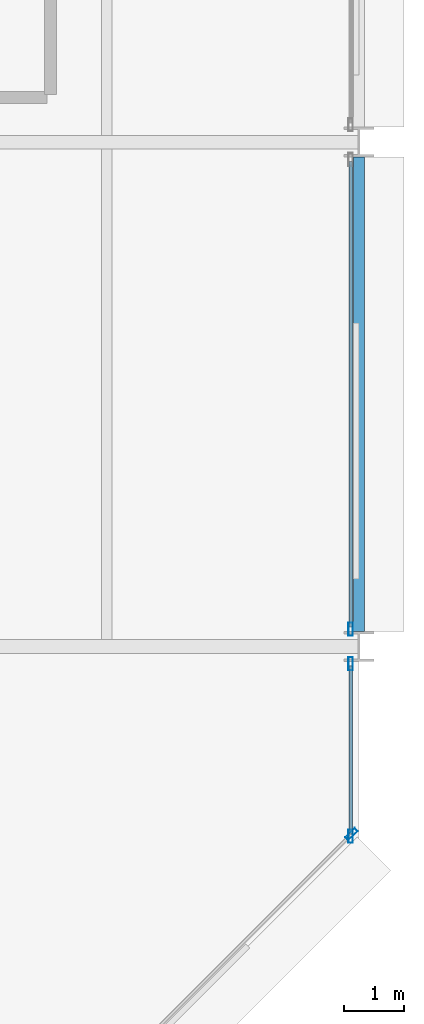
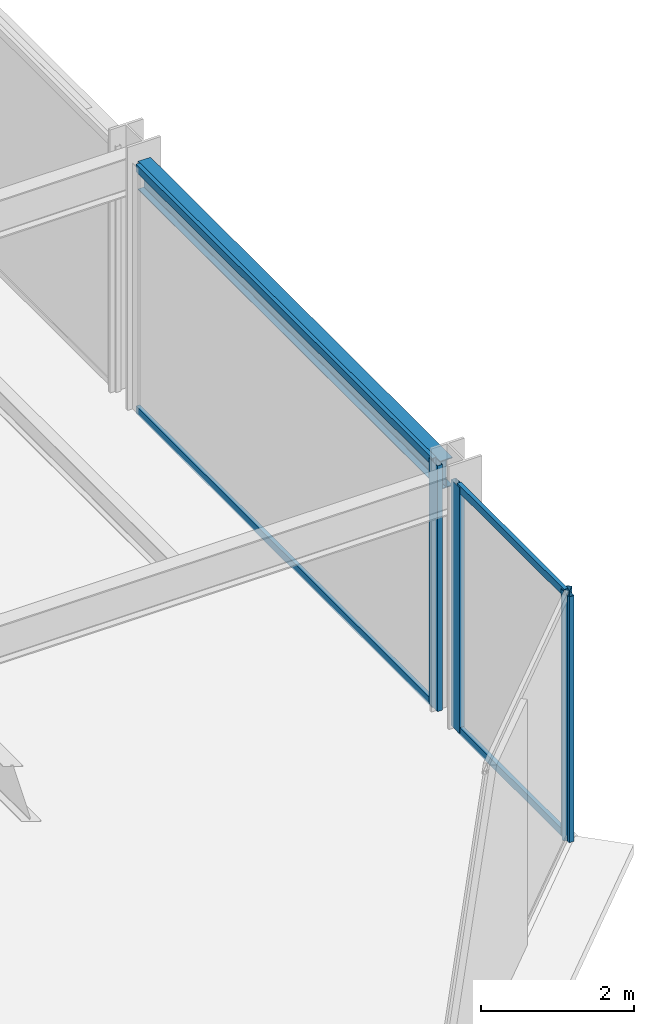
# One storey, part 11 of 25: 8 members, 1 beam, 3 elements without a shape of their own.
"""IFC4 building model written with IfcOpenShell, lengths in metres."""

from ifc_helpers import new_model, si_unit, direction, frame, origin, origin_2d, place, context, subcontext, project, spatial, hollow_rectangle, i_section, extrude, material, layer, layer_set, material_profile, profile_set, type_object, element, aggregate, save


model = new_model("IFC4")

# Units and contexts
model_context = context("Model", 3, precision=1e-05, world=origin(), true_north=direction((0.0, 1.0)))
body_context = subcontext(model_context, "Body", "Model", "MODEL_VIEW")
ifc_project = project(units=[si_unit("LENGTHUNIT", "METRE"), si_unit("AREAUNIT", "SQUARE_METRE"), si_unit("VOLUMEUNIT", "CUBIC_METRE"), si_unit("PLANEANGLEUNIT", "RADIAN"), si_unit("MASSUNIT", "GRAM", prefix="KILO")], contexts=[model_context])

# Site, building, storey
site_placement = place(None, origin())
site = spatial("IfcSite", under=ifc_project, at=site_placement, CompositionType="ELEMENT")
building_placement = place(site_placement, origin())
building = spatial("IfcBuilding", under=site, at=building_placement, Name="Nerrivon Quay Data Exchange", CompositionType="ELEMENT")
storey_placement = place(building_placement, frame((0.0, 0.0, 24.800048828125)))
storey = spatial("IfcBuildingStorey", under=building, at=storey_placement, Name="L05", CompositionType="ELEMENT", Elevation=24.800048828125)

# Beam
ifc_material_1 = material(Name="Steel Grade 350", Category="steel")
ifc_material_profile_1 = material_profile(ifc_material_1, i_section(OverallWidth=0.18994140625, OverallDepth=0.4541015625, WebThickness=0.008544921875, FlangeThickness=0.0126953125, FilletRadius=0.011474609375, at=origin_2d()), Name="460UB67.1")
ifc_profile_set_1 = profile_set([ifc_material_profile_1], Name="Steel Grade 350")
beam_type = type_object("IfcBeamType", Name="BM-SP1-460UB67", PredefinedType="SPANDREL", material=ifc_profile_set_1)
beam_placement = place(storey_placement, frame((50.39990234375, 8.64990234375, 3.697998046875), z_axis=(0.0, 1.0, 0.0), x_axis=(-1.0, 0.0, 0.0)))
element("IfcBeam", 1, at=beam_placement, inside=storey, type_object=beam_type, Name="L05 NS Girder X=50.4 (8.4..16.8)", PredefinedType="SPANDREL", context=body_context, shape_type="SweptSolid", body=[
    extrude(i_section(OverallWidth=0.18994140625, OverallDepth=0.4541015625, WebThickness=0.008544921875, FlangeThickness=0.0126953125, FilletRadius=0.011474609375, at=origin_2d()), origin(), (0.0, 0.0, 1.0), 7.900146484375),
])

# Curtain wall, member
ifc_material_2 = material(Name="Anodised aluminium 6063-T6", Category="aluminium")
ifc_layer = layer(ifc_material_2, 0.219970703125)
ifc_layer_set = layer_set([ifc_layer], Name="Anodised aluminium 6063-T6")
curtain_wall_type = type_object("IfcCurtainWallType", Name="CW-SYS-01", PredefinedType="NOTDEFINED", material=ifc_layer_set)
curtain_wall_1_placement = place(storey_placement, origin())
curtain_wall_1 = element("IfcCurtainWall", 2, at=curtain_wall_1_placement, inside=storey, type_object=curtain_wall_type, Name="L05 Unitised Curtain Wall 1", PredefinedType="NOTDEFINED")
ifc_material_profile_2 = material_profile(ifc_material_2, hollow_rectangle(XDim=0.074951171875, YDim=0.219970703125, WallThickness=0.00390625, at=origin_2d()), Name="ALU-MULL-220x75")
ifc_profile_set_2 = profile_set([ifc_material_profile_2], Name="Anodised aluminium 6063-T6")
member_type_1 = type_object("IfcMemberType", Name="CWM-220x75", PredefinedType="MULLION", material=ifc_profile_set_2)
member_1_placement = place(storey_placement, frame((50.2744140625, 5.2724609375, 0.0), z_axis=(0.0, 0.0, 1.0), x_axis=(0.707106781187, -0.707106781187, 0.0)))
member_1 = element("IfcMember", 3, at=member_1_placement, type_object=member_type_1, Name="CW01 mullion 1", PredefinedType="MULLION", context=body_context, shape_type="SweptSolid", body=[
    extrude(hollow_rectangle(XDim=0.074951171875, YDim=0.219970703125, WallThickness=0.00390625, at=origin_2d()), origin(), (0.0, 0.0, 1.0), 3.925048828125),
])
aggregate(curtain_wall_1, [member_1])

curtain_wall_2_placement = place(storey_placement, origin())
curtain_wall_2 = element("IfcCurtainWall", 4, at=curtain_wall_2_placement, inside=storey, type_object=curtain_wall_type, Name="L05 Unitised Curtain Wall 32", PredefinedType="NOTDEFINED")
member_2_placement = place(storey_placement, frame((50.260009765625, 8.6875, 0.0), z_axis=(0.0, 0.0, 1.0), x_axis=(1.0, 0.0, 0.0)))
member_2 = element("IfcMember", 5, at=member_2_placement, type_object=member_type_1, Name="CW01 mullion 2", PredefinedType="MULLION", context=body_context, shape_type="SweptSolid", body=[
    extrude(hollow_rectangle(XDim=0.074951171875, YDim=0.219970703125, WallThickness=0.00390625, at=origin_2d()), origin(), (0.0, 0.0, 1.0), 3.925048828125),
])

# Curtain wall, members
curtain_wall_3_placement = place(storey_placement, origin())
curtain_wall_3 = element("IfcCurtainWall", 6, at=curtain_wall_3_placement, inside=storey, type_object=curtain_wall_type, Name="L05 Unitised Curtain Wall 33", PredefinedType="NOTDEFINED")
member_3_placement = place(storey_placement, frame((50.260009765625, 8.112548828125, 0.0), z_axis=(0.0, 0.0, 1.0), x_axis=(1.0, 0.0, 0.0)))
member_3 = element("IfcMember", 7, at=member_3_placement, type_object=member_type_1, Name="CW01 mullion 1", PredefinedType="MULLION", context=body_context, shape_type="SweptSolid", body=[
    extrude(hollow_rectangle(XDim=0.074951171875, YDim=0.219970703125, WallThickness=0.00390625, at=origin_2d()), origin(), (0.0, 0.0, 1.0), 3.925048828125),
])
member_4_placement = place(storey_placement, frame((50.260009765625, 5.237548828125, 0.0), z_axis=(0.0, 0.0, 1.0), x_axis=(1.0, 0.0, 0.0)))
member_4 = element("IfcMember", 8, at=member_4_placement, type_object=member_type_1, Name="CW01 mullion 2", PredefinedType="MULLION", context=body_context, shape_type="SweptSolid", body=[
    extrude(hollow_rectangle(XDim=0.074951171875, YDim=0.219970703125, WallThickness=0.00390625, at=origin_2d()), origin(), (0.0, 0.0, 1.0), 3.925048828125),
])

# Member
ifc_material_profile_3 = material_profile(ifc_material_2, hollow_rectangle(XDim=0.06005859375, YDim=0.1201171875, WallThickness=0.003173828125, at=origin_2d()), Name="ALU-TRAN-120x60")
ifc_profile_set_3 = profile_set([ifc_material_profile_3], Name="Anodised aluminium 6063-T6")
member_type_2 = type_object("IfcMemberType", Name="CWT-120x60", PredefinedType="USERDEFINED", material=ifc_profile_set_3)
member_5_placement = place(storey_placement, frame((50.260009765625, 16.47509765625, 0.032470703125), z_axis=(0.0, -1.0, 0.0), x_axis=(1.0, 0.0, 0.0)))
member_5 = element("IfcMember", 9, at=member_5_placement, type_object=member_type_2, Name="CW01 transom 1.1", ObjectType="TRANSOM", PredefinedType="USERDEFINED", context=body_context, shape_type="SweptSolid", body=[
    extrude(hollow_rectangle(XDim=0.06005859375, YDim=0.1201171875, WallThickness=0.003173828125, at=origin_2d()), origin(), (0.0, 0.0, 1.0), 7.75),
])

member_6_placement = place(storey_placement, frame((50.260009765625, 16.47509765625, 3.892333984375), z_axis=(0.0, -1.0, 0.0), x_axis=(1.0, 0.0, 0.0)))
member_6 = element("IfcMember", 10, at=member_6_placement, type_object=member_type_2, Name="CW01 transom 1.2", ObjectType="TRANSOM", PredefinedType="USERDEFINED", context=body_context, shape_type="SweptSolid", body=[
    extrude(hollow_rectangle(XDim=0.06005859375, YDim=0.1201171875, WallThickness=0.003173828125, at=origin_2d()), origin(), (0.0, 0.0, 1.0), 7.75),
])

aggregate(curtain_wall_2, [member_2, member_5, member_6])

member_7_placement = place(storey_placement, frame((50.260009765625, 8.074951171875, 0.032470703125), z_axis=(0.0, -1.0, 0.0), x_axis=(1.0, 0.0, 0.0)))
member_7 = element("IfcMember", 11, at=member_7_placement, type_object=member_type_2, Name="CW01 transom 1.1", ObjectType="TRANSOM", PredefinedType="USERDEFINED", context=body_context, shape_type="SweptSolid", body=[
    extrude(hollow_rectangle(XDim=0.06005859375, YDim=0.1201171875, WallThickness=0.003173828125, at=origin_2d()), origin(), (0.0, 0.0, 1.0), 2.800048828125),
])

member_8_placement = place(storey_placement, frame((50.260009765625, 8.074951171875, 3.892333984375), z_axis=(0.0, -1.0, 0.0), x_axis=(1.0, 0.0, 0.0)))
member_8 = element("IfcMember", 12, at=member_8_placement, type_object=member_type_2, Name="CW01 transom 1.2", ObjectType="TRANSOM", PredefinedType="USERDEFINED", context=body_context, shape_type="SweptSolid", body=[
    extrude(hollow_rectangle(XDim=0.06005859375, YDim=0.1201171875, WallThickness=0.003173828125, at=origin_2d()), origin(), (0.0, 0.0, 1.0), 2.800048828125),
])

aggregate(curtain_wall_3, [member_3, member_4, member_7, member_8])

save(model, "model.ifc")
